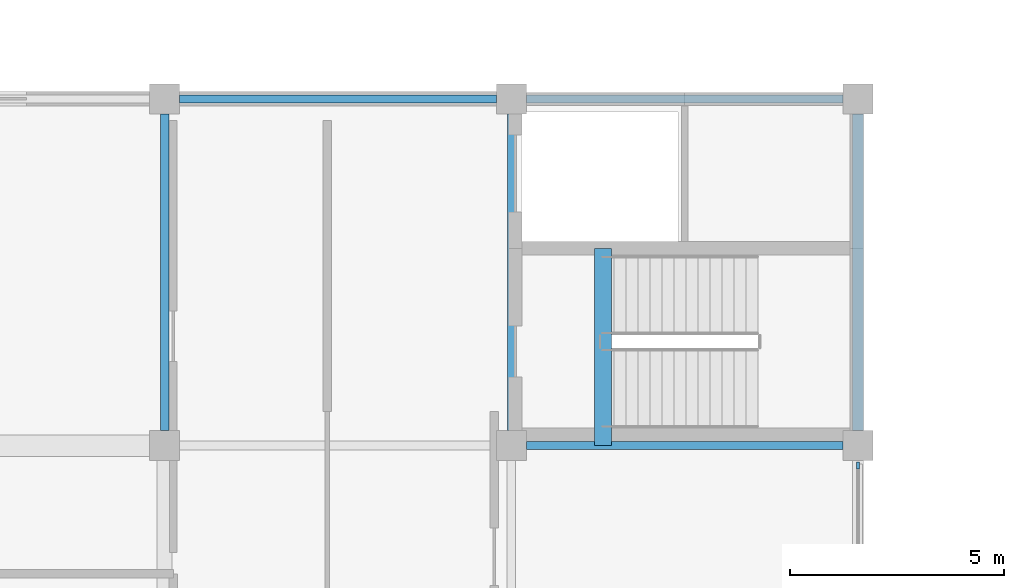
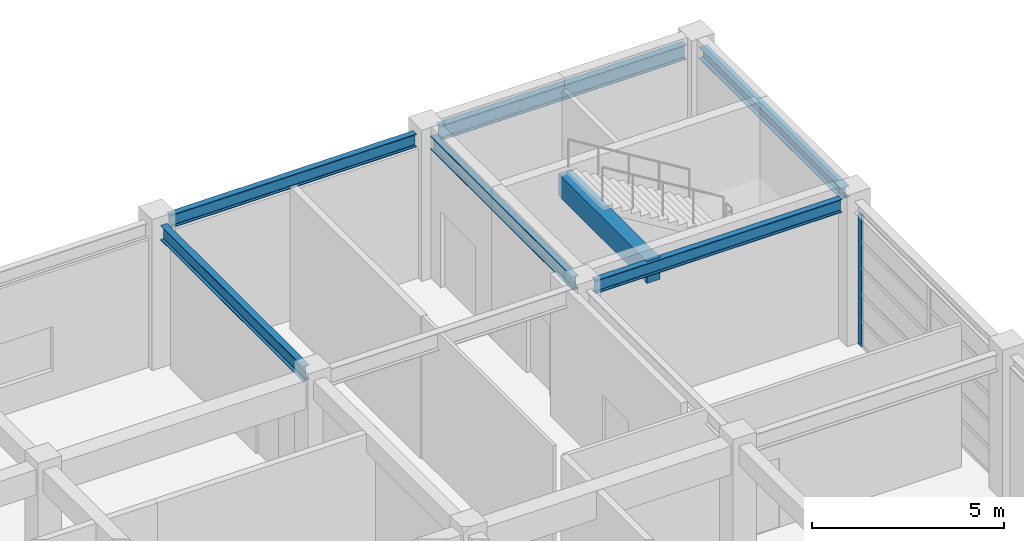
# One storey, part 30 of 56: 7 beams, 1 member, 1 element without a shape of its own.
"""IFC4 building model written with IfcOpenShell, lengths in metres."""

from ifc_helpers import new_model, si_unit, direction, frame, origin, origin_2d, place, context, subcontext, project, spatial, rectangle, i_section, extrude, material, material_profile, profile_set, type_object, element, aggregate, save


model = new_model("IFC4")

# Units and contexts
model_context = context("Model", 3, precision=1e-05, world=origin(), true_north=direction((0.0, 1.0)))
body_context = subcontext(model_context, "Body", "Model", "MODEL_VIEW")
ifc_project = project(units=[si_unit("LENGTHUNIT", "METRE"), si_unit("AREAUNIT", "SQUARE_METRE"), si_unit("VOLUMEUNIT", "CUBIC_METRE"), si_unit("PLANEANGLEUNIT", "RADIAN"), si_unit("MASSUNIT", "GRAM", prefix="KILO")], contexts=[model_context])

# Site, building, storey
site_placement = place(None, origin())
site = spatial("IfcSite", under=ifc_project, at=site_placement, CompositionType="ELEMENT")
building_placement = place(site_placement, origin())
building = spatial("IfcBuilding", under=site, at=building_placement, Name="Parian Resonance Hall", CompositionType="ELEMENT")
storey_placement = place(building_placement, frame((0.0, 0.0, 5.39990234375)))
storey = spatial("IfcBuildingStorey", under=building, at=storey_placement, Name="L01", CompositionType="ELEMENT", Elevation=5.39990234375)

# Beams
ifc_material_1 = material(Name="Concrete C40/50", Category="concrete")
ifc_material_profile_1 = material_profile(ifc_material_1, rectangle(XDim=0.39990234375, YDim=0.699951171875, at=origin_2d()), Name="RC-BM-400x700")
ifc_profile_set_1 = profile_set([ifc_material_profile_1], Name="Concrete C40/50")
beam_type_1 = type_object("IfcBeamType", Name="BM-RC400x700", PredefinedType="BEAM", material=ifc_profile_set_1)
beam_1_placement = place(storey_placement, frame((139.840087890625, 81.0, 4.18017578125), z_axis=(0.0, 1.0, 0.0), x_axis=(-1.0, 0.0, 0.0)))
element("IfcBeam", 1, at=beam_1_placement, inside=storey, type_object=beam_type_1, Name="Core K6 stair arrival trimmer beam L01", PredefinedType="BEAM", context=body_context, shape_type="SweptSolid", body=[
    extrude(rectangle(XDim=0.39990234375, YDim=0.699951171875, at=origin_2d()), origin(), (0.0, 0.0, 1.0), 4.610107421875),
])
ifc_material_2 = material(Name="Steel S355", Category="steel")
ifc_material_profile_2 = material_profile(ifc_material_2, i_section(OverallWidth=0.2548828125, OverallDepth=0.35693359375, WebThickness=0.010498046875, FlangeThickness=0.018310546875, FilletRadius=0.01513671875, at=origin_2d()), Name="W360x101")
ifc_profile_set_2 = profile_set([ifc_material_profile_2], Name="Steel S355")
beam_type_2 = type_object("IfcBeamType", Name="BM-W360x101", PredefinedType="SPANDREL", material=ifc_profile_set_2)
beam_2_placement = place(storey_placement, frame((145.800048828125, 81.35009765625, 4.3515625), z_axis=(0.0, 1.0, 0.0), x_axis=(-1.0, 0.0, 0.0)))
element("IfcBeam", 2, at=beam_2_placement, inside=storey, type_object=beam_type_2, Name="GY-L01-0657", PredefinedType="SPANDREL", context=body_context, shape_type="SweptSolid", body=[
    extrude(i_section(OverallWidth=0.2548828125, OverallDepth=0.35693359375, WebThickness=0.010498046875, FlangeThickness=0.018310546875, FilletRadius=0.01513671875, at=origin_2d()), origin(), (0.0, 0.0, 1.0), 7.39990234375),
])
ifc_material_3 = material(Name="Steel S355", Category="steel")
ifc_material_profile_3 = material_profile(ifc_material_3, i_section(OverallWidth=0.180908203125, OverallDepth=0.4169921875, WebThickness=0.010986328125, FlangeThickness=0.018310546875, FilletRadius=0.01513671875, at=origin_2d()), Name="W410x85")
ifc_profile_set_3 = profile_set([ifc_material_profile_3], Name="Steel S355")
beam_type_3 = type_object("IfcBeamType", Name="BM-W410x85", PredefinedType="SPANDREL", material=ifc_profile_set_3)
beam_3_placement = place(storey_placement, frame((129.949951171875, 89.10009765625, 4.321533203125), z_axis=(1.0, 0.0, 0.0), x_axis=(0.0, 1.0, 0.0)))
element("IfcBeam", 3, at=beam_3_placement, inside=storey, type_object=beam_type_3, Name="GX-L01-0586", PredefinedType="SPANDREL", context=body_context, shape_type="SweptSolid", body=[
    extrude(i_section(OverallWidth=0.180908203125, OverallDepth=0.4169921875, WebThickness=0.010986328125, FlangeThickness=0.018310546875, FilletRadius=0.01513671875, at=origin_2d()), origin(), (0.0, 0.0, 1.0), 7.400146484375),
])
for number, where, z_axis, x_axis, name in (
    (4, (138.050048828125, 81.0, 4.321533203125), (1.0, 0.0, 0.0), (0.0, 1.0, 0.0), "GX-L01-0591"),
    (5, (137.699951171875, 81.35009765625, 4.321533203125), (0.0, 1.0, 0.0), (-1.0, 0.0, 0.0), "GY-L01-0652"),
):
    element("IfcBeam", number, at=place(storey_placement, frame(where, z_axis=z_axis, x_axis=x_axis)), inside=storey, type_object=beam_type_3, Name=name, PredefinedType="SPANDREL", context=body_context, shape_type="SweptSolid", body=[
        extrude(i_section(OverallWidth=0.180908203125, OverallDepth=0.4169921875, WebThickness=0.010986328125, FlangeThickness=0.018310546875, FilletRadius=0.01513671875, at=origin_2d()), origin(), (0.0, 0.0, 1.0), 7.39990234375),
    ])
ifc_material_4 = material(Name="Steel S355", Category="steel")
ifc_material_profile_4 = material_profile(ifc_material_4, i_section(OverallWidth=0.194091796875, OverallDepth=0.468994140625, WebThickness=0.0126953125, FlangeThickness=0.0205078125, FilletRadius=0.01513671875, at=origin_2d()), Name="W460x106")
ifc_profile_set_4 = profile_set([ifc_material_profile_4], Name="Steel S355")
beam_type_4 = type_object("IfcBeamType", Name="BM-W460x106", PredefinedType="SPANDREL", material=ifc_profile_set_4)
for number, where, z_axis, x_axis, name in (
    (6, (138.050048828125, 89.10009765625, 4.295654296875), (1.0, 0.0, 0.0), (0.0, 1.0, 0.0), "GX-L01-0592"),
    (7, (129.60009765625, 81.35009765625, 4.295654296875), (0.0, 1.0, 0.0), (-1.0, 0.0, 0.0), "GY-L01-0647"),
):
    element("IfcBeam", number, at=place(storey_placement, frame(where, z_axis=z_axis, x_axis=x_axis)), inside=storey, type_object=beam_type_4, Name=name, PredefinedType="SPANDREL", context=body_context, shape_type="SweptSolid", body=[
        extrude(i_section(OverallWidth=0.194091796875, OverallDepth=0.468994140625, WebThickness=0.0126953125, FlangeThickness=0.0205078125, FilletRadius=0.01513671875, at=origin_2d()), origin(), (0.0, 0.0, 1.0), 7.39990234375),
    ])

# Curtain wall, member
ifc_material_5 = material(Name="Bronze-anodised aluminium frame", Category="aluminium")
curtain_wall_type = type_object("IfcCurtainWallType", Name="CW-SYS-04", PredefinedType="NOTDEFINED", material=ifc_material_5)
curtain_wall_placement = place(storey_placement, origin())
curtain_wall = element("IfcCurtainWall", 8, at=curtain_wall_placement, inside=storey, type_object=curtain_wall_type, Name="Curtain wall CW-L01-145", PredefinedType="NOTDEFINED")
ifc_material_6 = material(Name="Bronze-anodised aluminium frame", Category="aluminium")
ifc_material_profile_5 = material_profile(ifc_material_6, rectangle(XDim=0.06494140625, YDim=0.159912109375, at=origin_2d()), Name="CWM-65x160")
ifc_profile_set_5 = profile_set([ifc_material_profile_5], Name="Bronze-anodised aluminium frame")
member_type = type_object("IfcMemberType", Name="CWM-65x160", PredefinedType="MULLION", material=ifc_profile_set_5)
member_placement = place(storey_placement, frame((145.800048828125, 80.53759765625, -0.0078125), z_axis=(0.0, 0.0, 1.0), x_axis=(1.0, 0.0, 0.0)))
member = element("IfcMember", 9, at=member_placement, type_object=member_type, Name="CW-04 mullion 1", PredefinedType="MULLION", context=body_context, shape_type="SweptSolid", body=[
    extrude(rectangle(XDim=0.06494140625, YDim=0.159912109375, at=origin_2d()), origin(), (0.0, 0.0, 1.0), 4.184814453125),
])
aggregate(curtain_wall, [member])

save(model, "model.ifc")
